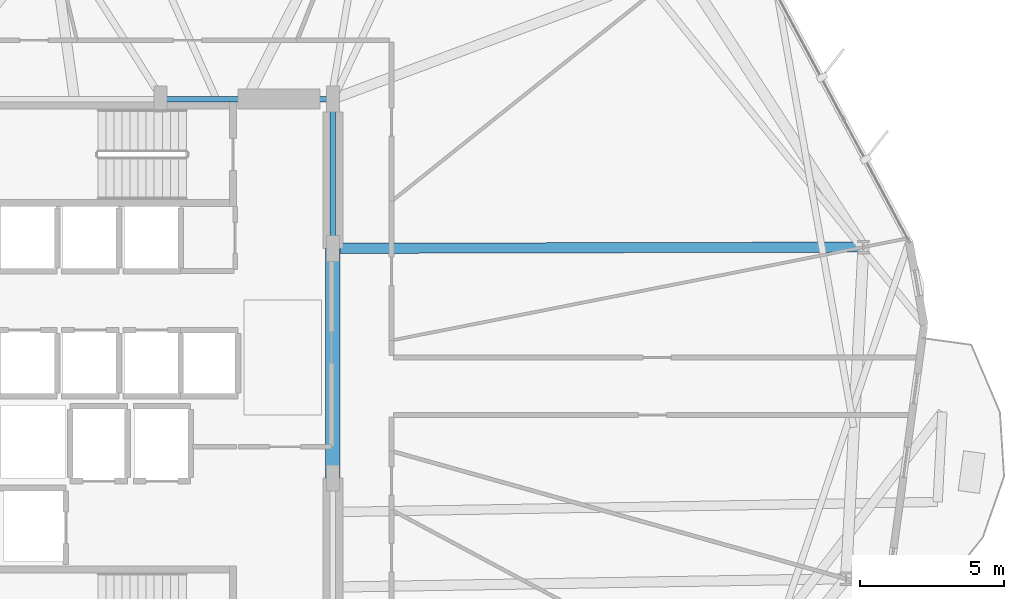
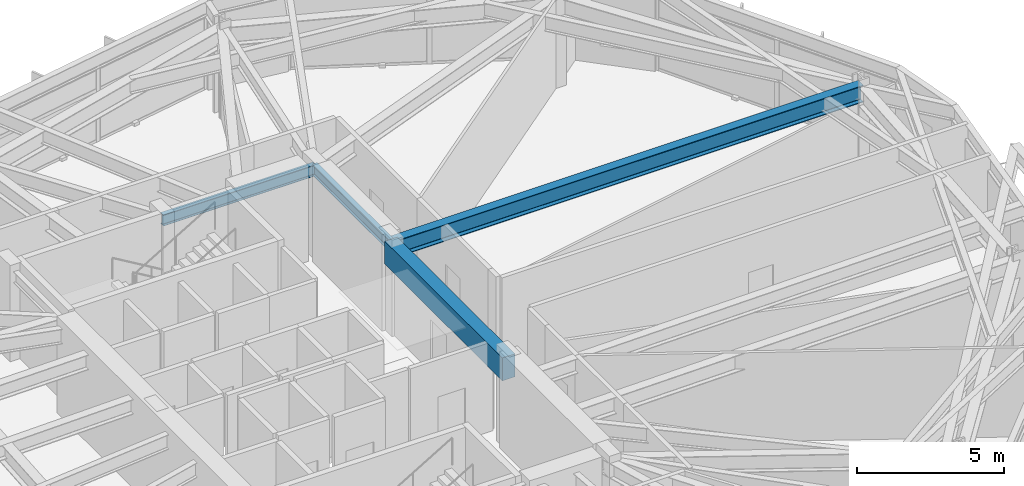
# One storey, part 8 of 22: 4 beams.
"""IFC4 building model written with IfcOpenShell, lengths in metres."""

from ifc_helpers import new_model, si_unit, direction, frame, origin, origin_2d, place, context, subcontext, project, spatial, rectangle, i_section, extrude, material, material_profile, profile_set, type_object, element, save


model = new_model("IFC4")

# Units and contexts
model_context = context("Model", 3, precision=1e-05, world=origin(), true_north=direction((0.0, 1.0)))
body_context = subcontext(model_context, "Body", "Model", "MODEL_VIEW")
ifc_project = project(units=[si_unit("LENGTHUNIT", "METRE"), si_unit("AREAUNIT", "SQUARE_METRE"), si_unit("VOLUMEUNIT", "CUBIC_METRE"), si_unit("PLANEANGLEUNIT", "RADIAN"), si_unit("MASSUNIT", "GRAM", prefix="KILO")], contexts=[model_context])

# Site, building, storey
site_placement = place(None, origin())
site = spatial("IfcSite", under=ifc_project, at=site_placement, CompositionType="ELEMENT")
building_placement = place(site_placement, origin())
building = spatial("IfcBuilding", under=site, at=building_placement, Name="Soratama Intermodal Tower", CompositionType="ELEMENT")
storey_placement = place(building_placement, frame((0.0, 0.0, 66.60009765625)))
storey = spatial("IfcBuildingStorey", under=building, at=storey_placement, Name="L15", CompositionType="ELEMENT", Elevation=66.60009765625)

# Beams
ifc_material_1 = material(Name="Concrete f'c 56 MPa", Category="concrete")
ifc_material_profile_1 = material_profile(ifc_material_1, rectangle(XDim=0.5, YDim=0.949951171875, at=origin_2d()), Name="RC500X950")
ifc_profile_set_1 = profile_set([ifc_material_profile_1], Name="Concrete f'c 56 MPa")
beam_type_1 = type_object("IfcBeamType", Name="BM-CPL-RC500X950", PredefinedType="BEAM", material=ifc_profile_set_1)
beam_1_placement = place(storey_placement, frame((44.60009765625, 21.800048828125, 3.224853515625), z_axis=(0.0, 1.0, 0.0), x_axis=(-1.0, 0.0, 0.0)))
element("IfcBeam", 1, at=beam_1_placement, inside=storey, type_object=beam_type_1, Name="L15 Core Coupling Beam East", PredefinedType="BEAM", context=body_context, shape_type="SweptSolid", body=[
    extrude(rectangle(XDim=0.5, YDim=0.949951171875, at=origin_2d()), origin(), (0.0, 0.0, 1.0), 8.0),
])
ifc_material_2 = material(Name="Structural steel ASTM A992 Grade 50", Category="steel")
ifc_material_profile_2 = material_profile(ifc_material_2, i_section(OverallWidth=0.19091796875, OverallDepth=0.4599609375, WebThickness=0.010009765625, FlangeThickness=0.01611328125, FilletRadius=0.010986328125, at=origin_2d()), Name="W18X55")
ifc_profile_set_2 = profile_set([ifc_material_profile_2], Name="Structural steel ASTM A992 Grade 50")
beam_type_2 = type_object("IfcBeamType", Name="BM-FLR-W18X55", PredefinedType="BEAM", material=ifc_profile_set_2)
beam_2_placement = place(storey_placement, frame((44.60009765625, 29.800048828125, 3.469970703125), z_axis=(0.0, 1.0, 0.0), x_axis=(-1.0, 0.0, 0.0)))
element("IfcBeam", 2, at=beam_2_placement, inside=storey, type_object=beam_type_2, Name="BM-L15-CRING-05", PredefinedType="BEAM", context=body_context, shape_type="SweptSolid", body=[
    extrude(i_section(OverallWidth=0.19091796875, OverallDepth=0.4599609375, WebThickness=0.010009765625, FlangeThickness=0.01611328125, FilletRadius=0.010986328125, at=origin_2d()), origin(), (0.0, 0.0, 1.0), 5.199951171875),
])
beam_3_placement = place(storey_placement, frame((44.60009765625, 35.0, 3.469970703125), z_axis=(-1.0, 0.0, 0.0), x_axis=(0.0, -1.0, 0.0)))
element("IfcBeam", 3, at=beam_3_placement, inside=storey, type_object=beam_type_2, Name="BM-L15-CRING-06", PredefinedType="BEAM", context=body_context, shape_type="SweptSolid", body=[
    extrude(i_section(OverallWidth=0.19091796875, OverallDepth=0.4599609375, WebThickness=0.010009765625, FlangeThickness=0.01611328125, FilletRadius=0.010986328125, at=origin_2d()), origin(), (0.0, 0.0, 1.0), 6.0),
])
ifc_material_3 = material(Name="Structural steel ASTM A992 Grade 50", Category="steel")
ifc_material_profile_3 = material_profile(ifc_material_3, i_section(OverallWidth=0.35498046875, OverallDepth=0.695068359375, WebThickness=0.015380859375, FlangeThickness=0.02490234375, FilletRadius=0.01611328125, at=origin_2d()), Name="W27X146")
ifc_profile_set_3 = profile_set([ifc_material_profile_3], Name="Structural steel ASTM A992 Grade 50")
beam_type_3 = type_object("IfcBeamType", Name="BM-RING-W27X146", PredefinedType="BEAM", material=ifc_profile_set_3)
beam_4_placement = place(storey_placement, frame((44.60009765625, 29.800048828125, 3.352294921875), z_axis=(0.999997046146, 0.002430575896, 0.0), x_axis=(-0.002430575896, 0.999997046146, 0.0)))
element("IfcBeam", 4, at=beam_4_placement, inside=storey, type_object=beam_type_3, Name="BM-L15-RAD-01", PredefinedType="BEAM", context=body_context, shape_type="SweptSolid", body=[
    extrude(i_section(OverallWidth=0.35498046875, OverallDepth=0.695068359375, WebThickness=0.015380859375, FlangeThickness=0.02490234375, FilletRadius=0.01611328125, at=origin_2d()), origin(), (0.0, 0.0, 1.0), 18.48193359375),
])

save(model, "model.ifc")
